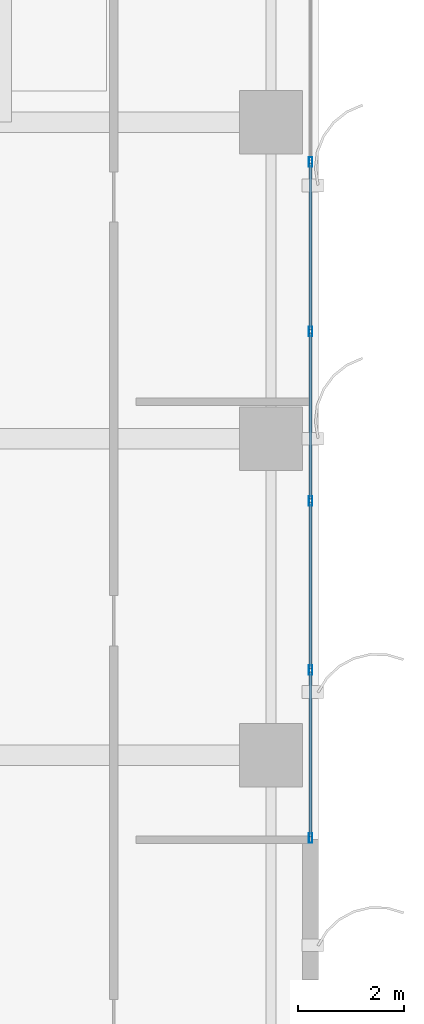
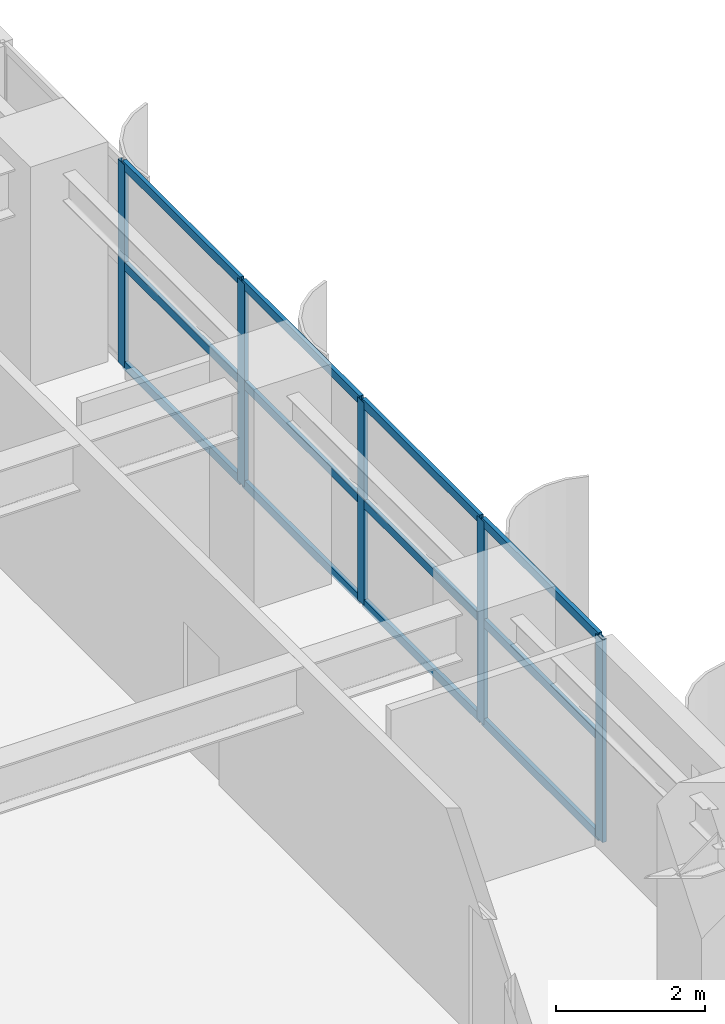
# One storey, part 7 of 23: 17 members, 1 element without a shape of its own.
"""IFC4 building model written with IfcOpenShell, lengths in metres."""

import ifcopenshell
import ifcopenshell.guid

model = None  # the IFC model being written
_history = None  # IfcOwnerHistory: only IFC2X3 demands one
_inside = {}  # id of a spatial element -> (the spatial element, [elements in it])
_under = {}  # id of a project, library or spatial element -> (it, [spatial elements below it])
_declared = {}  # id of a project -> (the project, [libraries it declares])
_typed = {}  # id of a type object -> (the type object, [elements of that type])
_made_of = {}  # id of a material, layer set ... -> (it, [elements and type objects made of it])


def new_model(schema):
    """Start an empty IFC model of exactly this schema.

    Asked for "IFC4X3", IfcOpenShell would pick the latest addendum, in which some entities
    have other attributes; the version numbers below select the first issue.
    IFC2X3 requires an IfcOwnerHistory on every rooted entity: one is made here for all.
    """
    global model, _history
    if schema == "IFC4X3":
        model = ifcopenshell.file(schema_version=(4, 3, 0, 0))
    else:
        model = ifcopenshell.file(schema=schema)
    _inside.clear()
    _under.clear()
    _declared.clear()
    _typed.clear()
    _made_of.clear()
    _history = None
    if model.schema == "IFC2X3":
        org = make("IfcOrganization", Name="unknown")
        user = make(
            "IfcPersonAndOrganization",
            ThePerson=make("IfcPerson", FamilyName="unknown"),
            TheOrganization=org,
        )
        app = make(
            "IfcApplication",
            ApplicationDeveloper=org,
            Version="unknown",
            ApplicationFullName="unknown",
            ApplicationIdentifier="unknown",
        )
        _history = make(
            "IfcOwnerHistory",
            OwningUser=user,
            OwningApplication=app,
            ChangeAction="ADDED",
            CreationDate=0,
        )
    return model


def make(cls, **values):
    """One entity of the class cls with the attributes given. An attribute that is None is left unset."""
    return model.create_entity(
        cls, **{name: value for name, value in values.items() if value is not None}
    )


def rooted(cls, **values):
    """An entity with a GlobalId (a new one), such as an element, a storey or a relation."""
    return make(cls, GlobalId=ifcopenshell.guid.new(), OwnerHistory=_history, **values)


def si_unit(unit_type, name, prefix=None):
    """IfcSIUnit, for example si_unit("LENGTHUNIT", "METRE", prefix="MILLI")."""
    return make("IfcSIUnit", UnitType=unit_type, Prefix=prefix, Name=name)


def assignment(units):
    """IfcUnitAssignment: the units of a project."""
    return None if units is None else make("IfcUnitAssignment", Units=units)


def point(xyz):
    """IfcCartesianPoint."""
    return None if xyz is None else make("IfcCartesianPoint", Coordinates=xyz)


def direction(xyz):
    """IfcDirection."""
    return None if xyz is None else make("IfcDirection", DirectionRatios=xyz)


def frame(location, z_axis=None, x_axis=None):
    """IfcAxis2Placement3D, a coordinate frame: its origin and axes. An axis left out is left unset."""
    return make(
        "IfcAxis2Placement3D",
        Location=point(location),
        Axis=direction(z_axis),
        RefDirection=direction(x_axis),
    )


def frame_2d(location, x_axis=None):
    """IfcAxis2Placement2D, a coordinate frame in the plane: its origin and x axis."""
    return make(
        "IfcAxis2Placement2D", Location=point(location), RefDirection=direction(x_axis)
    )


def origin():
    """The frame at (0, 0, 0) with its axes left unset."""
    return frame((0.0, 0.0, 0.0))


def origin_2d():
    """The frame at (0, 0) in the plane with its x axis left unset."""
    return frame_2d((0.0, 0.0))


def place(relative_to, where):
    """IfcLocalPlacement: puts the frame where relative to a parent placement (None: the world)."""
    return make(
        "IfcLocalPlacement", PlacementRelTo=relative_to, RelativePlacement=where
    )


def context(
    kind, dimensions, precision=None, world=None, true_north=None, identifier=None
):
    """IfcGeometricRepresentationContext, for example the 3D "Model" context."""
    return make(
        "IfcGeometricRepresentationContext",
        ContextIdentifier=identifier,
        ContextType=kind,
        CoordinateSpaceDimension=dimensions,
        Precision=precision,
        WorldCoordinateSystem=world,
        TrueNorth=true_north,
    )


def subcontext(parent, identifier, kind, view, scale=None):
    """IfcGeometricRepresentationSubContext, for example "Body" below "Model"."""
    return make(
        "IfcGeometricRepresentationSubContext",
        ContextIdentifier=identifier,
        ContextType=kind,
        ParentContext=parent,
        TargetScale=scale,
        TargetView=view,
    )


def project(units=None, contexts=None):
    """IfcProject with its units and contexts."""
    return rooted(
        "IfcProject",
        Name="project",
        RepresentationContexts=contexts,
        UnitsInContext=assignment(units),
    )


def spatial(cls, under=None, at=None, **own):
    """A site, building, storey or space (cls), placed at a placement, below another one or the project."""
    s = rooted(cls, ObjectPlacement=at, **own)
    if under is not None:
        _under.setdefault(under.id(), (under, []))[1].append(s)
    return s


def profile(cls, at=None, kind="AREA", **sizes):
    """A parametric profile (cls). Its sizes go by their IFC names, for example OverallWidth=200.0."""
    return make(cls, ProfileType=kind, Position=at, **sizes)


def hollow_rectangle(**sizes):
    """IfcRectangleHollowProfileDef."""
    return profile("IfcRectangleHollowProfileDef", **sizes)


def extrude(swept, where, along, depth):
    """IfcExtrudedAreaSolid: the profile swept, set in the frame where, extruded along a direction by depth."""
    return make(
        "IfcExtrudedAreaSolid",
        SweptArea=swept,
        Position=where,
        ExtrudedDirection=direction(along),
        Depth=depth,
    )


def shape(context_of_items, identifier, shape_type, items):
    """IfcShapeRepresentation: the items that make up one representation, for example the "Body"."""
    return make(
        "IfcShapeRepresentation",
        ContextOfItems=context_of_items,
        RepresentationIdentifier=identifier,
        RepresentationType=shape_type,
        Items=items,
    )


def source(mapping_origin, context_of_items, identifier, shape_type, items):
    """IfcRepresentationMap: a shape defined once, which mapped items show again and again."""
    return make(
        "IfcRepresentationMap",
        MappingOrigin=mapping_origin,
        MappedRepresentation=shape(context_of_items, identifier, shape_type, items),
    )


def transform(
    local_origin,
    x_axis=None,
    y_axis=None,
    z_axis=None,
    scale=None,
    scale2=None,
    scale3=None,
    uniform=True,
):
    """IfcCartesianTransformationOperator3D, or its non-uniform kind. x_axis, y_axis, z_axis: its Axis1, 2, 3."""
    if uniform:
        return make(
            "IfcCartesianTransformationOperator3D",
            Axis1=direction(x_axis),
            Axis2=direction(y_axis),
            LocalOrigin=point(local_origin),
            Scale=scale,
            Axis3=direction(z_axis),
        )
    return make(
        "IfcCartesianTransformationOperator3DnonUniform",
        Axis1=direction(x_axis),
        Axis2=direction(y_axis),
        LocalOrigin=point(local_origin),
        Scale=scale,
        Axis3=direction(z_axis),
        Scale2=scale2,
        Scale3=scale3,
    )


def mapped(mapping_source, mapping_target):
    """IfcMappedItem: shows the shape of a source again, moved by a transform."""
    return make(
        "IfcMappedItem", MappingSource=mapping_source, MappingTarget=mapping_target
    )


def material(Name=None, Category=None):
    """IfcMaterial."""
    return make("IfcMaterial", Name=Name, Category=Category)


def layer(
    of_material, thickness, ventilated=None, Name=None, Category=None, Priority=None
):
    """IfcMaterialLayer: one layer of a wall or slab, of a material (None: an air gap)."""
    return make(
        "IfcMaterialLayer",
        Material=of_material,
        LayerThickness=thickness,
        IsVentilated=ventilated,
        Name=Name,
        Category=Category,
        Priority=Priority,
    )


def layer_set(layers, Name=None):
    """IfcMaterialLayerSet."""
    return make("IfcMaterialLayerSet", MaterialLayers=layers, LayerSetName=Name)


def material_profile(
    of_material, cross_section, Name=None, Category=None, Priority=None
):
    """IfcMaterialProfile: a cross section and its material."""
    return make(
        "IfcMaterialProfile",
        Name=Name,
        Material=of_material,
        Profile=cross_section,
        Priority=Priority,
        Category=Category,
    )


def profile_set(profiles, Name=None, composite=None):
    """IfcMaterialProfileSet."""
    return make(
        "IfcMaterialProfileSet",
        Name=Name,
        MaterialProfiles=profiles,
        CompositeProfile=composite,
    )


def made_of(thing, what):
    """Note that an element or type object is made of a material, layer set ...; save() writes the relation."""
    if what is not None:
        _made_of.setdefault(what.id(), (what, []))[1].append(thing)
    return thing


def type_object(cls, material=None, **own):
    """A type object (cls), such as IfcWallType, which elements share."""
    return made_of(rooted(cls, **own), material)


def element(
    cls,
    number,
    at=None,
    inside=None,
    cuts=None,
    type_object=None,
    material=None,
    context=None,
    identifier="Body",
    shape_type=None,
    held_by="IfcProductDefinitionShape",
    body=None,
    shapes=None,
    **own,
):
    """One element of the class cls, such as IfcWall. Its Tag is "e" and its number.

    at: its placement. inside: the storey or other place that contains it. cuts: it is an
    opening in that element (IfcRelVoidsElement). A single representation is given by context,
    identifier, shape_type and body (its items); several are given by shapes. held_by: the class
    of the entity that holds the representations. save() writes the other relations.
    """
    e = rooted(cls, Tag="e%d" % number, ObjectPlacement=at, **own)
    if body is not None:
        shapes = [shape(context, identifier, shape_type, body)]
    if shapes is not None:
        e.Representation = make(held_by, Representations=shapes)
    if inside is not None:
        _inside.setdefault(inside.id(), (inside, []))[1].append(e)
    if cuts is not None:
        rooted(
            "IfcRelVoidsElement", RelatingBuildingElement=cuts, RelatedOpeningElement=e
        )
    if type_object is not None:
        _typed.setdefault(type_object.id(), (type_object, []))[1].append(e)
    return made_of(e, material)


def aggregate(whole, parts):
    """IfcRelAggregates: a whole, such as a stair, and the parts it consists of."""
    return rooted("IfcRelAggregates", RelatingObject=whole, RelatedObjects=parts)


def save(model, path):
    """Write the relations noted so far, then the file.

    IfcRelAggregates (storeys below a building ...), IfcRelContainedInSpatialStructure (elements
    in a storey), IfcRelDefinesByType, IfcRelAssociatesMaterial and IfcRelDeclares: one each for
    every whole, place, type object, material and project.
    """
    for whole, parts in _under.values():
        aggregate(whole, parts)
    for where, things in _inside.values():
        rooted(
            "IfcRelContainedInSpatialStructure",
            RelatedElements=things,
            RelatingStructure=where,
        )
    for kind, things in _typed.values():
        rooted("IfcRelDefinesByType", RelatedObjects=things, RelatingType=kind)
    for what, things in _made_of.values():
        rooted("IfcRelAssociatesMaterial", RelatedObjects=things, RelatingMaterial=what)
    for by, libraries in _declared.values():
        rooted("IfcRelDeclares", RelatingContext=by, RelatedDefinitions=libraries)
    model.write(path)


model = new_model("IFC4")

# Units and contexts
model_context = context("Model", 3, precision=1e-05, world=origin(), true_north=direction((0.0, 1.0)))
body_context = subcontext(model_context, "Body", "Model", "MODEL_VIEW")
ifc_project = project(units=[si_unit("LENGTHUNIT", "METRE"), si_unit("AREAUNIT", "SQUARE_METRE"), si_unit("VOLUMEUNIT", "CUBIC_METRE"), si_unit("PLANEANGLEUNIT", "RADIAN"), si_unit("MASSUNIT", "GRAM", prefix="KILO")], contexts=[model_context])

# Site, building, storey
site_placement = place(None, origin())
site = spatial("IfcSite", under=ifc_project, at=site_placement, CompositionType="ELEMENT")
building_placement = place(site_placement, origin())
building = spatial("IfcBuilding", under=site, at=building_placement, Name="Khoralis Quay Care Tower", CompositionType="ELEMENT")
storey_placement = place(building_placement, frame((0.0, 0.0, 33.300048828125)))
storey = spatial("IfcBuildingStorey", under=building, at=storey_placement, Name="L08", CompositionType="ELEMENT", Elevation=33.300048828125)

# Curtain wall, members
ifc_material = material(Name="Pale anodised aluminium", Category="aluminium")
ifc_layer = layer(ifc_material, 0.179931640625)
ifc_layer_set = layer_set([ifc_layer], Name="Pale anodised aluminium")
curtain_wall_type = type_object("IfcCurtainWallType", Name="CW-SYS-Z1", PredefinedType="NOTDEFINED", material=ifc_layer_set)
curtain_wall_placement = place(storey_placement, origin())
curtain_wall = element("IfcCurtainWall", 1, at=curtain_wall_placement, inside=storey, type_object=curtain_wall_type, Name="L08 Unitised Curtain Wall CW-L08-P1-E5", PredefinedType="NOTDEFINED")
ifc_material_profile_1 = material_profile(ifc_material, hollow_rectangle(XDim=0.06494140625, YDim=0.179931640625, WallThickness=0.00390625, at=origin_2d()), Name="Pale anodised aluminium")
ifc_profile_set_1 = profile_set([ifc_material_profile_1], Name="Pale anodised aluminium")
member_type_1 = type_object("IfcMemberType", Name="CW-MUL-180", PredefinedType="MULLION", material=ifc_profile_set_1)
shared_shape_1 = source(origin(), body_context, "Body", "SweptSolid", [
    extrude(hollow_rectangle(XDim=0.06494140625, YDim=0.179931640625, WallThickness=0.00390625, at=origin_2d()), origin(), (0.0, 0.0, 1.0), 3.320068359375),
])
member_1_placement = place(storey_placement, frame((47.85009765625, 16.429931640625, 0.0), z_axis=(0.0, 0.0, 1.0), x_axis=(-1.0, 0.0, 0.0)))
member_1 = element("IfcMember", 2, at=member_1_placement, type_object=member_type_1, Name="CW1 mullion 1", PredefinedType="MULLION", context=body_context, shape_type="MappedRepresentation", body=[
    mapped(shared_shape_1, transform((0.0, 0.0, 0.0), scale=1.0)),
])
member_2_placement = place(storey_placement, frame((47.85009765625, 19.612060546875, 0.0), z_axis=(0.0, 0.0, 1.0), x_axis=(-1.0, 0.0, 0.0)))
member_2 = element("IfcMember", 3, at=member_2_placement, type_object=member_type_1, Name="CW1 mullion 2", PredefinedType="MULLION", context=body_context, shape_type="MappedRepresentation", body=[
    mapped(shared_shape_1, transform((0.0, 0.0, 0.0), scale=1.0)),
])
member_3_placement = place(storey_placement, frame((47.85009765625, 22.823974609375, 0.0), z_axis=(0.0, 0.0, 1.0), x_axis=(-1.0, 0.0, 0.0)))
member_3 = element("IfcMember", 4, at=member_3_placement, type_object=member_type_1, Name="CW1 mullion 3", PredefinedType="MULLION", context=body_context, shape_type="MappedRepresentation", body=[
    mapped(shared_shape_1, transform((0.0, 0.0, 0.0), scale=1.0)),
])
member_4_placement = place(storey_placement, frame((47.85009765625, 26.035888671875, 0.0), z_axis=(0.0, 0.0, 1.0), x_axis=(-1.0, 0.0, 0.0)))
member_4 = element("IfcMember", 5, at=member_4_placement, type_object=member_type_1, Name="CW1 mullion 4", PredefinedType="MULLION", context=body_context, shape_type="MappedRepresentation", body=[
    mapped(shared_shape_1, transform((0.0, 0.0, 0.0), scale=1.0)),
])
member_5_placement = place(storey_placement, frame((47.85009765625, 29.248046875, 0.0), z_axis=(0.0, 0.0, 1.0), x_axis=(-1.0, 0.0, 0.0)))
member_5 = element("IfcMember", 6, at=member_5_placement, type_object=member_type_1, Name="CW1 mullion 5", PredefinedType="MULLION", context=body_context, shape_type="MappedRepresentation", body=[
    mapped(shared_shape_1, transform((0.0, 0.0, 0.0), scale=1.0)),
])
ifc_material_profile_2 = material_profile(ifc_material, hollow_rectangle(XDim=0.06005859375, YDim=0.139892578125, WallThickness=0.00390625, at=origin_2d()), Name="Pale anodised aluminium")
ifc_profile_set_2 = profile_set([ifc_material_profile_2], Name="Pale anodised aluminium")
member_type_2 = type_object("IfcMemberType", Name="CW-TRN-140", PredefinedType="USERDEFINED", material=ifc_profile_set_2)
shared_shape_2 = source(origin(), body_context, "Body", "SweptSolid", [
    extrude(hollow_rectangle(XDim=0.06005859375, YDim=0.139892578125, WallThickness=0.00390625, at=origin_2d()), origin(), (0.0, 0.0, 1.0), 3.1220703125),
])
member_6_placement = place(storey_placement, frame((47.85009765625, 16.4599609375, 0.030029296875), z_axis=(0.0, 1.0, 0.0), x_axis=(-1.0, 0.0, 0.0)))
member_6 = element("IfcMember", 7, at=member_6_placement, type_object=member_type_2, Name="CW1 transom 1.1", ObjectType="TRANSOM", PredefinedType="USERDEFINED", context=body_context, shape_type="MappedRepresentation", body=[
    mapped(shared_shape_2, transform((0.0, 0.0, 0.0), scale=1.0)),
])
member_7_placement = place(storey_placement, frame((47.85009765625, 16.4599609375, 1.659912109375), z_axis=(0.0, 1.0, 0.0), x_axis=(-1.0, 0.0, 0.0)))
member_7 = element("IfcMember", 8, at=member_7_placement, type_object=member_type_2, Name="CW1 transom 1.2", ObjectType="TRANSOM", PredefinedType="USERDEFINED", context=body_context, shape_type="MappedRepresentation", body=[
    mapped(shared_shape_2, transform((0.0, 0.0, 0.0), scale=1.0)),
])
member_8_placement = place(storey_placement, frame((47.85009765625, 16.4599609375, 3.2900390625), z_axis=(0.0, 1.0, 0.0), x_axis=(-1.0, 0.0, 0.0)))
member_8 = element("IfcMember", 9, at=member_8_placement, type_object=member_type_2, Name="CW1 transom 1.3", ObjectType="TRANSOM", PredefinedType="USERDEFINED", context=body_context, shape_type="MappedRepresentation", body=[
    mapped(shared_shape_2, transform((0.0, 0.0, 0.0), scale=1.0)),
])
shared_shape_3 = source(origin(), body_context, "Body", "SweptSolid", [
    extrude(hollow_rectangle(XDim=0.06005859375, YDim=0.139892578125, WallThickness=0.00390625, at=origin_2d()), origin(), (0.0, 0.0, 1.0), 3.15185546875),
])
member_9_placement = place(storey_placement, frame((47.85009765625, 19.64208984375, 0.030029296875), z_axis=(0.0, 1.0, 0.0), x_axis=(-1.0, 0.0, 0.0)))
member_9 = element("IfcMember", 10, at=member_9_placement, type_object=member_type_2, Name="CW1 transom 2.1", ObjectType="TRANSOM", PredefinedType="USERDEFINED", context=body_context, shape_type="MappedRepresentation", body=[
    mapped(shared_shape_3, transform((0.0, 0.0, 0.0), scale=1.0)),
])
member_10_placement = place(storey_placement, frame((47.85009765625, 19.64208984375, 1.659912109375), z_axis=(0.0, 1.0, 0.0), x_axis=(-1.0, 0.0, 0.0)))
member_10 = element("IfcMember", 11, at=member_10_placement, type_object=member_type_2, Name="CW1 transom 2.2", ObjectType="TRANSOM", PredefinedType="USERDEFINED", context=body_context, shape_type="MappedRepresentation", body=[
    mapped(shared_shape_3, transform((0.0, 0.0, 0.0), scale=1.0)),
])
member_11_placement = place(storey_placement, frame((47.85009765625, 19.64208984375, 3.2900390625), z_axis=(0.0, 1.0, 0.0), x_axis=(-1.0, 0.0, 0.0)))
member_11 = element("IfcMember", 12, at=member_11_placement, type_object=member_type_2, Name="CW1 transom 2.3", ObjectType="TRANSOM", PredefinedType="USERDEFINED", context=body_context, shape_type="MappedRepresentation", body=[
    mapped(shared_shape_3, transform((0.0, 0.0, 0.0), scale=1.0)),
])
shared_shape_4 = source(origin(), body_context, "Body", "SweptSolid", [
    extrude(hollow_rectangle(XDim=0.06005859375, YDim=0.139892578125, WallThickness=0.00390625, at=origin_2d()), origin(), (0.0, 0.0, 1.0), 3.152099609375),
])
member_12_placement = place(storey_placement, frame((47.85009765625, 22.85400390625, 0.030029296875), z_axis=(0.0, 1.0, 0.0), x_axis=(-1.0, 0.0, 0.0)))
member_12 = element("IfcMember", 13, at=member_12_placement, type_object=member_type_2, Name="CW1 transom 3.1", ObjectType="TRANSOM", PredefinedType="USERDEFINED", context=body_context, shape_type="MappedRepresentation", body=[
    mapped(shared_shape_4, transform((0.0, 0.0, 0.0), scale=1.0)),
])
member_13_placement = place(storey_placement, frame((47.85009765625, 22.85400390625, 1.659912109375), z_axis=(0.0, 1.0, 0.0), x_axis=(-1.0, 0.0, 0.0)))
member_13 = element("IfcMember", 14, at=member_13_placement, type_object=member_type_2, Name="CW1 transom 3.2", ObjectType="TRANSOM", PredefinedType="USERDEFINED", context=body_context, shape_type="MappedRepresentation", body=[
    mapped(shared_shape_4, transform((0.0, 0.0, 0.0), scale=1.0)),
])
member_14_placement = place(storey_placement, frame((47.85009765625, 22.85400390625, 3.2900390625), z_axis=(0.0, 1.0, 0.0), x_axis=(-1.0, 0.0, 0.0)))
member_14 = element("IfcMember", 15, at=member_14_placement, type_object=member_type_2, Name="CW1 transom 3.3", ObjectType="TRANSOM", PredefinedType="USERDEFINED", context=body_context, shape_type="MappedRepresentation", body=[
    mapped(shared_shape_4, transform((0.0, 0.0, 0.0), scale=1.0)),
])
member_15_placement = place(storey_placement, frame((47.85009765625, 26.06591796875, 0.030029296875), z_axis=(0.0, 1.0, 0.0), x_axis=(-1.0, 0.0, 0.0)))
member_15 = element("IfcMember", 16, at=member_15_placement, type_object=member_type_2, Name="CW1 transom 4.1", ObjectType="TRANSOM", PredefinedType="USERDEFINED", context=body_context, shape_type="MappedRepresentation", body=[
    mapped(shared_shape_4, transform((0.0, 0.0, 0.0), scale=1.0)),
])
member_16_placement = place(storey_placement, frame((47.85009765625, 26.06591796875, 1.659912109375), z_axis=(0.0, 1.0, 0.0), x_axis=(-1.0, 0.0, 0.0)))
member_16 = element("IfcMember", 17, at=member_16_placement, type_object=member_type_2, Name="CW1 transom 4.2", ObjectType="TRANSOM", PredefinedType="USERDEFINED", context=body_context, shape_type="MappedRepresentation", body=[
    mapped(shared_shape_4, transform((0.0, 0.0, 0.0), scale=1.0)),
])
member_17_placement = place(storey_placement, frame((47.85009765625, 26.06591796875, 3.2900390625), z_axis=(0.0, 1.0, 0.0), x_axis=(-1.0, 0.0, 0.0)))
member_17 = element("IfcMember", 18, at=member_17_placement, type_object=member_type_2, Name="CW1 transom 4.3", ObjectType="TRANSOM", PredefinedType="USERDEFINED", context=body_context, shape_type="MappedRepresentation", body=[
    mapped(shared_shape_4, transform((0.0, 0.0, 0.0), scale=1.0)),
])
aggregate(curtain_wall, [member_1, member_2, member_3, member_4, member_5, member_6, member_7, member_8, member_9, member_10, member_11, member_12, member_13, member_14, member_15, member_16, member_17])

save(model, "model.ifc")
